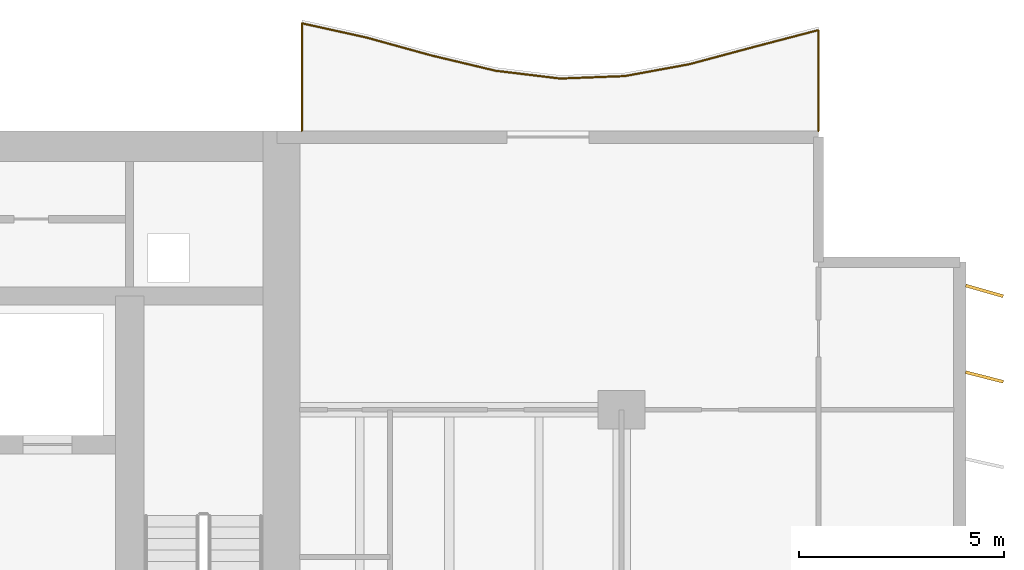
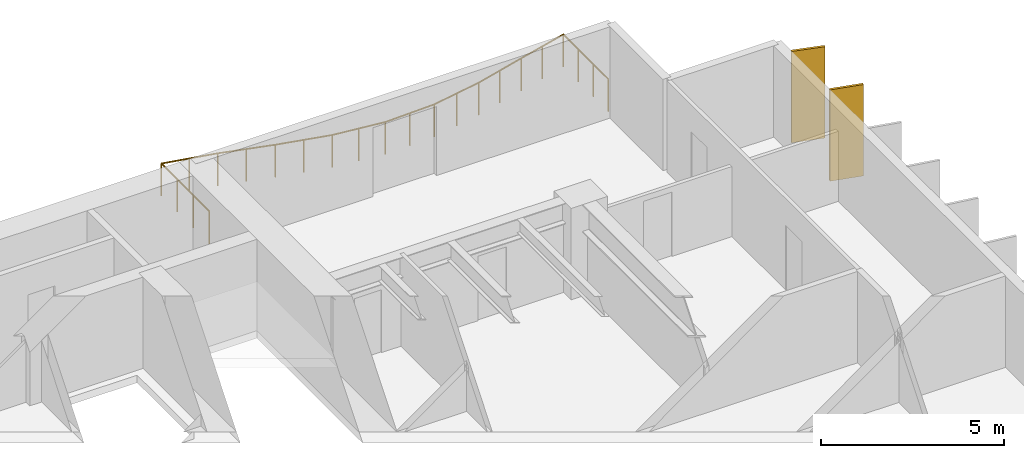
# One storey, part 19 of 19: 2 shading devices, 1 railing.
"""IFC4 building model written with IfcOpenShell, lengths in metres."""

from ifc_helpers import new_model, si_unit, direction, frame, origin, origin_2d, place, context, subcontext, project, spatial, rectangle, circle, extrude, material, material_profile, profile_set, type_object, element, save


model = new_model("IFC4")

# Units and contexts
model_context = context("Model", 3, precision=1e-05, world=origin(), true_north=direction((0.0, 1.0)))
body_context = subcontext(model_context, "Body", "Model", "MODEL_VIEW")
ifc_project = project(units=[si_unit("LENGTHUNIT", "METRE"), si_unit("AREAUNIT", "SQUARE_METRE"), si_unit("VOLUMEUNIT", "CUBIC_METRE"), si_unit("PLANEANGLEUNIT", "RADIAN"), si_unit("MASSUNIT", "GRAM", prefix="KILO")], contexts=[model_context])

# Site, building, storey
site_placement = place(None, origin())
site = spatial("IfcSite", under=ifc_project, at=site_placement, CompositionType="ELEMENT")
building_placement = place(site_placement, origin())
building = spatial("IfcBuilding", under=site, at=building_placement, Name="Caelmar Bay Residences", CompositionType="ELEMENT")
storey_placement = place(building_placement, frame((0.0, 0.0, 66.300048828125)))
storey = spatial("IfcBuildingStorey", under=building, at=storey_placement, Name="L17", CompositionType="ELEMENT", Elevation=66.300048828125)

# Railing
ifc_material_1 = material(Name="Anodised bronze handrail with laminated hurricane glass infill", Category="glass")
railing_type = type_object("IfcRailingType", Name="RL-BAL-1100", PredefinedType="BALUSTRADE", material=ifc_material_1)
railing_placement = place(storey_placement, frame((72.699951171875, 50.60009765625, 0.0)))
element("IfcRailing", 1, at=railing_placement, inside=storey, type_object=railing_type, Name="L17 north_east Balcony Balustrade", PredefinedType="BALUSTRADE", context=body_context, shape_type="SweptSolid", body=[
    extrude(circle(Radius=0.02392578125, at=origin_2d()), frame((0.0, 0.0, 1.076171875), z_axis=(0.0, 1.0, 0.0), x_axis=(-1.0, 0.0, 0.0)), (0.0, 0.0, 1.0), 2.460693359375),
    extrude(circle(Radius=0.02392578125, at=origin_2d()), frame((0.0, 2.460693359375, 1.076171875), z_axis=(-0.96753918199, -0.252721054356, 0.0), x_axis=(0.252721054356, -0.96753918199, 0.0)), (0.0, 0.0, 1.0), 1.627685546875),
    extrude(circle(Radius=0.02392578125, at=origin_2d()), frame((-1.574951171875, 2.04931640625, 1.076171875), z_axis=(-0.966020859721, -0.258464114692, 0.0), x_axis=(0.258464114692, -0.966020859721, 0.0)), (0.0, 0.0, 1.0), 1.63037109375),
    extrude(circle(Radius=0.02392578125, at=origin_2d()), frame((-3.14990234375, 1.6279296875, 1.076171875), z_axis=(-0.983570930926, -0.180522086842, 0.0), x_axis=(0.180522086842, -0.983570930926, 0.0)), (0.0, 0.0, 1.0), 1.601318359375),
    extrude(circle(Radius=0.02392578125, at=origin_2d()), frame((-4.724853515625, 1.3388671875, 1.076171875), z_axis=(-0.999279814953, -0.03794537425, 0.0), x_axis=(0.03794537425, -0.999279814953, 0.0)), (0.0, 0.0, 1.0), 1.576416015625),
    extrude(circle(Radius=0.02392578125, at=origin_2d()), frame((-6.300048828125, 1.279052734375, 1.076171875), z_axis=(-0.992787719874, 0.119885542363, 0.0), x_axis=(-0.119885542363, -0.992787719874, 0.0)), (0.0, 0.0, 1.0), 1.58642578125),
    extrude(circle(Radius=0.02392578125, at=origin_2d()), frame((-7.875, 1.46923828125, 1.076171875), z_axis=(-0.972736601003, 0.231912710021, 0.0), x_axis=(-0.231912710021, -0.972736601003, 0.0)), (0.0, 0.0, 1.0), 1.619140625),
    extrude(circle(Radius=0.02392578125, at=origin_2d()), frame((-9.449951171875, 1.8447265625, 1.076171875), z_axis=(-0.963938442099, 0.266125308538, 0.0), x_axis=(-0.266125308538, -0.963938442099, 0.0)), (0.0, 0.0, 1.0), 1.6337890625),
    extrude(circle(Radius=0.02392578125, at=origin_2d()), frame((-11.02490234375, 2.279541015625, 1.076171875), z_axis=(-0.976556074066, 0.215263174287, 0.0), x_axis=(-0.215263174287, -0.976556074066, 0.0)), (0.0, 0.0, 1.0), 1.61279296875),
    extrude(circle(Radius=0.02392578125, at=origin_2d()), frame((-12.599853515625, 2.626708984375, 1.076171875), z_axis=(0.0, -1.0, 0.0), x_axis=(1.0, 0.0, 0.0)), (0.0, 0.0, 1.0), 2.626708984375),
    extrude(circle(Radius=0.02099609375, at=origin_2d()), origin(), (0.0, 0.0, 1.0), 1.052001953125),
    extrude(circle(Radius=0.02099609375, at=origin_2d()), frame((0.0, 0.8203125, 0.0)), (0.0, 0.0, 1.0), 1.052001953125),
    extrude(circle(Radius=0.02099609375, at=origin_2d()), frame((0.0, 1.640380859375, 0.0)), (0.0, 0.0, 1.0), 1.052001953125),
    extrude(circle(Radius=0.02099609375, at=origin_2d()), frame((0.0, 2.460693359375, 0.0)), (0.0, 0.0, 1.0), 1.052001953125),
    extrude(circle(Radius=0.02099609375, at=origin_2d()), frame((-0.78759765625, 2.2548828125, 0.0)), (0.0, 0.0, 1.0), 1.052001953125),
    extrude(circle(Radius=0.02099609375, at=origin_2d()), frame((-1.574951171875, 2.04931640625, 0.0)), (0.0, 0.0, 1.0), 1.052001953125),
    extrude(circle(Radius=0.02099609375, at=origin_2d()), frame((-2.3623046875, 1.838623046875, 0.0)), (0.0, 0.0, 1.0), 1.052001953125),
    extrude(circle(Radius=0.02099609375, at=origin_2d()), frame((-3.14990234375, 1.6279296875, 0.0)), (0.0, 0.0, 1.0), 1.052001953125),
    extrude(circle(Radius=0.02099609375, at=origin_2d()), frame((-3.9375, 1.4833984375, 0.0)), (0.0, 0.0, 1.0), 1.052001953125),
    extrude(circle(Radius=0.02099609375, at=origin_2d()), frame((-4.724853515625, 1.3388671875, 0.0)), (0.0, 0.0, 1.0), 1.052001953125),
    extrude(circle(Radius=0.02099609375, at=origin_2d()), frame((-5.512451171875, 1.30908203125, 0.0)), (0.0, 0.0, 1.0), 1.052001953125),
    extrude(circle(Radius=0.02099609375, at=origin_2d()), frame((-6.300048828125, 1.279052734375, 0.0)), (0.0, 0.0, 1.0), 1.052001953125),
    extrude(circle(Radius=0.02099609375, at=origin_2d()), frame((-7.08740234375, 1.3740234375, 0.0)), (0.0, 0.0, 1.0), 1.052001953125),
    extrude(circle(Radius=0.02099609375, at=origin_2d()), frame((-7.875, 1.46923828125, 0.0)), (0.0, 0.0, 1.0), 1.052001953125),
    extrude(circle(Radius=0.02099609375, at=origin_2d()), frame((-8.66259765625, 1.656982421875, 0.0)), (0.0, 0.0, 1.0), 1.052001953125),
    extrude(circle(Radius=0.02099609375, at=origin_2d()), frame((-9.449951171875, 1.8447265625, 0.0)), (0.0, 0.0, 1.0), 1.052001953125),
    extrude(circle(Radius=0.02099609375, at=origin_2d()), frame((-10.2373046875, 2.06201171875, 0.0)), (0.0, 0.0, 1.0), 1.052001953125),
    extrude(circle(Radius=0.02099609375, at=origin_2d()), frame((-11.02490234375, 2.279541015625, 0.0)), (0.0, 0.0, 1.0), 1.052001953125),
    extrude(circle(Radius=0.02099609375, at=origin_2d()), frame((-11.8125, 2.453125, 0.0)), (0.0, 0.0, 1.0), 1.052001953125),
    extrude(circle(Radius=0.02099609375, at=origin_2d()), frame((-12.599853515625, 2.626708984375, 0.0)), (0.0, 0.0, 1.0), 1.052001953125),
    extrude(circle(Radius=0.02099609375, at=origin_2d()), frame((-12.599853515625, 1.751220703125, 0.0)), (0.0, 0.0, 1.0), 1.052001953125),
    extrude(circle(Radius=0.02099609375, at=origin_2d()), frame((-12.599853515625, 0.87548828125, 0.0)), (0.0, 0.0, 1.0), 1.052001953125),
    extrude(circle(Radius=0.02099609375, at=origin_2d()), frame((-12.599853515625, 0.0, 0.0)), (0.0, 0.0, 1.0), 1.052001953125),
])

# Shading devices
ifc_material_2 = material(Name="Anodised architectural bronze aluminium 6063-T6", Category="aluminium")
ifc_material_profile = material_profile(ifc_material_2, rectangle(XDim=0.074951171875, YDim=0.949951171875, at=origin_2d()), Name="BRONZE-FIN-75X950")
ifc_profile_set = profile_set([ifc_material_profile], Name="Anodised architectural bronze aluminium 6063-T6")
shading_device_type = type_object("IfcShadingDeviceType", Name="SHD-FIN-950", PredefinedType="USERDEFINED", material=ifc_profile_set)
for number, where, z_axis, x_axis, name in (
    (2, (76.75, 44.60009765625, 0.0), (0.0, 0.0, 1.0), (0.247337247968, 0.968929453452, 0.0), "L17 East Bronze Solar Fin 19"),
    (3, (76.75, 46.699951171875, 0.0), (0.0, 0.0, 1.0), (0.275637355817, 0.961261695938, 0.0), "L17 East Bronze Solar Fin 20"),
):
    element("IfcShadingDevice", number, at=place(storey_placement, frame(where, z_axis=z_axis, x_axis=x_axis)), inside=storey, type_object=shading_device_type, Name=name, ObjectType="FIN", PredefinedType="USERDEFINED", context=body_context, shape_type="SweptSolid", body=[
        extrude(rectangle(XDim=0.074951171875, YDim=0.949951171875, at=origin_2d()), origin(), (0.0, 0.0, 1.0), 3.050048828125),
    ])

save(model, "model.ifc")
